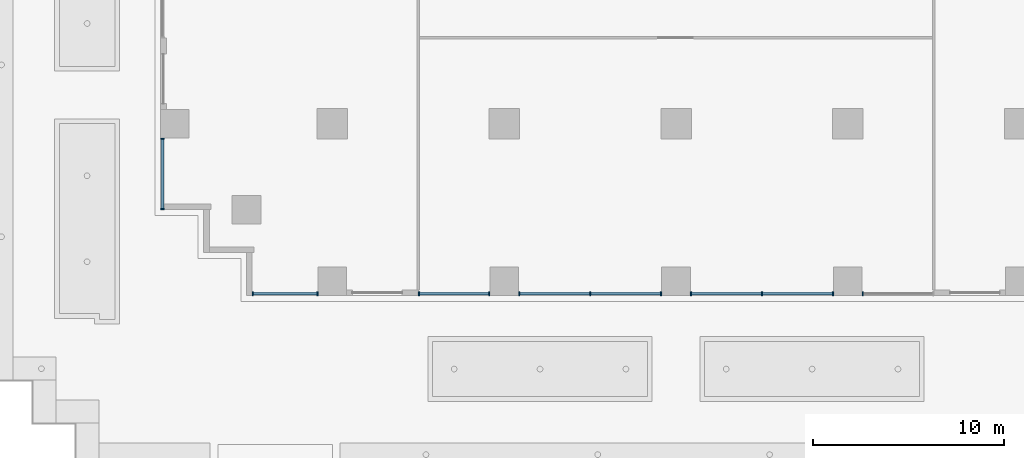
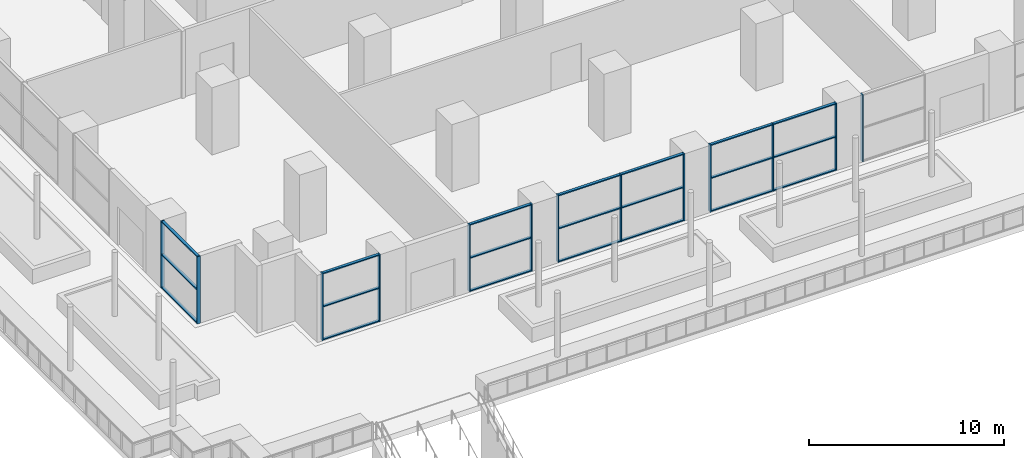
# One storey, part 2 of 18: 34 members, 6 elements without a shape of their own.
"""IFC4 building model written with IfcOpenShell, lengths in metres."""

from ifc_helpers import new_model, si_unit, direction, frame, origin, origin_2d, place, context, subcontext, project, spatial, rectangle, extrude, material, material_profile, profile_set, type_object, element, aggregate, save


model = new_model("IFC4")

# Units and contexts
model_context = context("Model", 3, precision=1e-05, world=origin(), true_north=direction((0.0, 1.0)))
body_context = subcontext(model_context, "Body", "Model", "MODEL_VIEW")
ifc_project = project(units=[si_unit("LENGTHUNIT", "METRE"), si_unit("AREAUNIT", "SQUARE_METRE"), si_unit("VOLUMEUNIT", "CUBIC_METRE"), si_unit("PLANEANGLEUNIT", "RADIAN"), si_unit("MASSUNIT", "GRAM", prefix="KILO")], contexts=[model_context])

# Site, building, storey
site_placement = place(None, origin())
site = spatial("IfcSite", under=ifc_project, at=site_placement, CompositionType="ELEMENT")
building_placement = place(site_placement, origin())
building = spatial("IfcBuilding", under=site, at=building_placement, Name="Orbiselva Terraces", CompositionType="ELEMENT")
storey_placement = place(building_placement, frame((0.0, 0.0, 10.5)))
storey = spatial("IfcBuildingStorey", under=building, at=storey_placement, Name="L02", CompositionType="ELEMENT", Elevation=10.5)

# Curtain wall, members
ifc_material_1 = material(Name="Clear low-e glazing in aluminium frame", Category="aluminium")
curtain_wall_type = type_object("IfcCurtainWallType", Name="ENV-CW-PAVILION", PredefinedType="NOTDEFINED", material=ifc_material_1)
curtain_wall_1_placement = place(storey_placement, origin())
curtain_wall_1 = element("IfcCurtainWall", 1, at=curtain_wall_1_placement, inside=storey, type_object=curtain_wall_type, Name="Curtain wall L02 S", PredefinedType="NOTDEFINED")
ifc_material_2 = material(Name="Anodised aluminium", Category="aluminium")
ifc_material_profile_1 = material_profile(ifc_material_2, rectangle(XDim=0.2, YDim=0.065, at=origin_2d()), Name="AL 65x200")
ifc_profile_set_1 = profile_set([ifc_material_profile_1], Name="Anodised aluminium")
member_type_1 = type_object("IfcMemberType", Name="ENV-CW-PAVILION-MULLION-65x200", PredefinedType="MULLION", material=ifc_profile_set_1)
member_1_placement = place(storey_placement, frame((-22.1675, -22.4, 0.0), z_axis=(0.0, 0.0, 1.0), x_axis=(0.0, 1.0, 0.0)))
member_1 = element("IfcMember", 2, at=member_1_placement, type_object=member_type_1, Name="CW2 mullion 1", PredefinedType="MULLION", context=body_context, shape_type="SweptSolid", body=[
    extrude(rectangle(XDim=0.2, YDim=0.065, at=origin_2d()), origin(), (0.0, 0.0, 1.0), 4.2),
])
member_2_placement = place(storey_placement, frame((-18.7825, -22.4, 0.0), z_axis=(0.0, 0.0, 1.0), x_axis=(0.0, 1.0, 0.0)))
member_2 = element("IfcMember", 3, at=member_2_placement, type_object=member_type_1, Name="CW2 mullion 2", PredefinedType="MULLION", context=body_context, shape_type="SweptSolid", body=[
    extrude(rectangle(XDim=0.2, YDim=0.065, at=origin_2d()), origin(), (0.0, 0.0, 1.0), 4.2),
])

curtain_wall_2_placement = place(storey_placement, origin())
curtain_wall_2 = element("IfcCurtainWall", 4, at=curtain_wall_2_placement, inside=storey, type_object=curtain_wall_type, Name="Curtain wall L02 S", PredefinedType="NOTDEFINED")
member_3_placement = place(storey_placement, frame((-13.4675, -22.4, 0.0), z_axis=(0.0, 0.0, 1.0), x_axis=(0.0, 1.0, 0.0)))
member_3 = element("IfcMember", 5, at=member_3_placement, type_object=member_type_1, Name="CW2 mullion 1", PredefinedType="MULLION", context=body_context, shape_type="SweptSolid", body=[
    extrude(rectangle(XDim=0.2, YDim=0.065, at=origin_2d()), origin(), (0.0, 0.0, 1.0), 4.2),
])
member_4_placement = place(storey_placement, frame((-9.7825, -22.4, 0.0), z_axis=(0.0, 0.0, 1.0), x_axis=(0.0, 1.0, 0.0)))
member_4 = element("IfcMember", 6, at=member_4_placement, type_object=member_type_1, Name="CW2 mullion 2", PredefinedType="MULLION", context=body_context, shape_type="SweptSolid", body=[
    extrude(rectangle(XDim=0.2, YDim=0.065, at=origin_2d()), origin(), (0.0, 0.0, 1.0), 4.2),
])

curtain_wall_3_placement = place(storey_placement, origin())
curtain_wall_3 = element("IfcCurtainWall", 7, at=curtain_wall_3_placement, inside=storey, type_object=curtain_wall_type, Name="Curtain wall L02 S", PredefinedType="NOTDEFINED")
member_5_placement = place(storey_placement, frame((-8.2175, -22.4, 0.0), z_axis=(0.0, 0.0, 1.0), x_axis=(0.0, 1.0, 0.0)))
member_5 = element("IfcMember", 8, at=member_5_placement, type_object=member_type_1, Name="CW2 mullion 1", PredefinedType="MULLION", context=body_context, shape_type="SweptSolid", body=[
    extrude(rectangle(XDim=0.2, YDim=0.065, at=origin_2d()), origin(), (0.0, 0.0, 1.0), 4.2),
])
member_6_placement = place(storey_placement, frame((-4.5, -22.4, 0.0), z_axis=(0.0, 0.0, 1.0), x_axis=(0.0, 1.0, 0.0)))
member_6 = element("IfcMember", 9, at=member_6_placement, type_object=member_type_1, Name="CW2 mullion 2", PredefinedType="MULLION", context=body_context, shape_type="SweptSolid", body=[
    extrude(rectangle(XDim=0.2, YDim=0.065, at=origin_2d()), origin(), (0.0, 0.0, 1.0), 4.2),
])
member_7_placement = place(storey_placement, frame((-0.7825, -22.4, 0.0), z_axis=(0.0, 0.0, 1.0), x_axis=(0.0, 1.0, 0.0)))
member_7 = element("IfcMember", 10, at=member_7_placement, type_object=member_type_1, Name="CW2 mullion 3", PredefinedType="MULLION", context=body_context, shape_type="SweptSolid", body=[
    extrude(rectangle(XDim=0.2, YDim=0.065, at=origin_2d()), origin(), (0.0, 0.0, 1.0), 4.2),
])

curtain_wall_4_placement = place(storey_placement, origin())
curtain_wall_4 = element("IfcCurtainWall", 11, at=curtain_wall_4_placement, inside=storey, type_object=curtain_wall_type, Name="Curtain wall L02 S", PredefinedType="NOTDEFINED")
member_8_placement = place(storey_placement, frame((0.7825, -22.4, 0.0), z_axis=(0.0, 0.0, 1.0), x_axis=(0.0, 1.0, 0.0)))
member_8 = element("IfcMember", 12, at=member_8_placement, type_object=member_type_1, Name="CW2 mullion 1", PredefinedType="MULLION", context=body_context, shape_type="SweptSolid", body=[
    extrude(rectangle(XDim=0.2, YDim=0.065, at=origin_2d()), origin(), (0.0, 0.0, 1.0), 4.2),
])
member_9_placement = place(storey_placement, frame((4.5, -22.4, 0.0), z_axis=(0.0, 0.0, 1.0), x_axis=(0.0, 1.0, 0.0)))
member_9 = element("IfcMember", 13, at=member_9_placement, type_object=member_type_1, Name="CW2 mullion 2", PredefinedType="MULLION", context=body_context, shape_type="SweptSolid", body=[
    extrude(rectangle(XDim=0.2, YDim=0.065, at=origin_2d()), origin(), (0.0, 0.0, 1.0), 4.2),
])
member_10_placement = place(storey_placement, frame((8.2175, -22.4, 0.0), z_axis=(0.0, 0.0, 1.0), x_axis=(0.0, 1.0, 0.0)))
member_10 = element("IfcMember", 14, at=member_10_placement, type_object=member_type_1, Name="CW2 mullion 3", PredefinedType="MULLION", context=body_context, shape_type="SweptSolid", body=[
    extrude(rectangle(XDim=0.2, YDim=0.065, at=origin_2d()), origin(), (0.0, 0.0, 1.0), 4.2),
])

# Curtain wall, member
curtain_wall_5_placement = place(storey_placement, origin())
curtain_wall_5 = element("IfcCurtainWall", 15, at=curtain_wall_5_placement, inside=storey, type_object=curtain_wall_type, Name="Curtain wall L02 S", PredefinedType="NOTDEFINED")
member_11_placement = place(storey_placement, frame((9.7825, -22.4, 0.0), z_axis=(0.0, 0.0, 1.0), x_axis=(0.0, 1.0, 0.0)))
member_11 = element("IfcMember", 16, at=member_11_placement, type_object=member_type_1, Name="CW2 mullion 1", PredefinedType="MULLION", context=body_context, shape_type="SweptSolid", body=[
    extrude(rectangle(XDim=0.2, YDim=0.065, at=origin_2d()), origin(), (0.0, 0.0, 1.0), 4.2),
])
aggregate(curtain_wall_5, [member_11])

# Curtain wall, members
curtain_wall_6_placement = place(storey_placement, origin())
curtain_wall_6 = element("IfcCurtainWall", 17, at=curtain_wall_6_placement, inside=storey, type_object=curtain_wall_type, Name="Curtain wall L02 W", PredefinedType="NOTDEFINED")
member_12_placement = place(storey_placement, frame((-26.9, -14.2825, 0.0), z_axis=(0.0, 0.0, 1.0), x_axis=(1.0, 0.0, 0.0)))
member_12 = element("IfcMember", 18, at=member_12_placement, type_object=member_type_1, Name="CW2 mullion 1", PredefinedType="MULLION", context=body_context, shape_type="SweptSolid", body=[
    extrude(rectangle(XDim=0.2, YDim=0.065, at=origin_2d()), origin(), (0.0, 0.0, 1.0), 4.2),
])
member_13_placement = place(storey_placement, frame((-26.9, -17.9675, 0.0), z_axis=(0.0, 0.0, 1.0), x_axis=(1.0, 0.0, 0.0)))
member_13 = element("IfcMember", 19, at=member_13_placement, type_object=member_type_1, Name="CW2 mullion 2", PredefinedType="MULLION", context=body_context, shape_type="SweptSolid", body=[
    extrude(rectangle(XDim=0.2, YDim=0.065, at=origin_2d()), origin(), (0.0, 0.0, 1.0), 4.2),
])

# Member
ifc_material_profile_2 = material_profile(ifc_material_2, rectangle(XDim=0.16, YDim=0.065, at=origin_2d()), Name="AL 65x160")
ifc_profile_set_2 = profile_set([ifc_material_profile_2], Name="Anodised aluminium")
member_type_2 = type_object("IfcMemberType", Name="ENV-CW-PAVILION-TRANSOM-65x160", PredefinedType="USERDEFINED", material=ifc_profile_set_2)
member_14_placement = place(storey_placement, frame((-22.135, -22.4, 0.0325), z_axis=(1.0, 0.0, 0.0), x_axis=(0.0, 1.0, 0.0)))
member_14 = element("IfcMember", 20, at=member_14_placement, type_object=member_type_2, Name="CW2 transom 1.1", ObjectType="TRANSOM", PredefinedType="USERDEFINED", context=body_context, shape_type="SweptSolid", body=[
    extrude(rectangle(XDim=0.16, YDim=0.065, at=origin_2d()), origin(), (0.0, 0.0, 1.0), 3.32),
])

member_15_placement = place(storey_placement, frame((-22.135, -22.4, 2.1), z_axis=(1.0, 0.0, 0.0), x_axis=(0.0, 1.0, 0.0)))
member_15 = element("IfcMember", 21, at=member_15_placement, type_object=member_type_2, Name="CW2 transom 1.2", ObjectType="TRANSOM", PredefinedType="USERDEFINED", context=body_context, shape_type="SweptSolid", body=[
    extrude(rectangle(XDim=0.16, YDim=0.065, at=origin_2d()), origin(), (0.0, 0.0, 1.0), 3.32),
])

member_16_placement = place(storey_placement, frame((-22.135, -22.4, 4.1675), z_axis=(1.0, 0.0, 0.0), x_axis=(0.0, 1.0, 0.0)))
member_16 = element("IfcMember", 22, at=member_16_placement, type_object=member_type_2, Name="CW2 transom 1.3", ObjectType="TRANSOM", PredefinedType="USERDEFINED", context=body_context, shape_type="SweptSolid", body=[
    extrude(rectangle(XDim=0.16, YDim=0.065, at=origin_2d()), origin(), (0.0, 0.0, 1.0), 3.32),
])

aggregate(curtain_wall_1, [member_1, member_2, member_14, member_15, member_16])

member_17_placement = place(storey_placement, frame((-13.435, -22.4, 0.0325), z_axis=(1.0, 0.0, 0.0), x_axis=(0.0, 1.0, 0.0)))
member_17 = element("IfcMember", 23, at=member_17_placement, type_object=member_type_2, Name="CW2 transom 1.1", ObjectType="TRANSOM", PredefinedType="USERDEFINED", context=body_context, shape_type="SweptSolid", body=[
    extrude(rectangle(XDim=0.16, YDim=0.065, at=origin_2d()), origin(), (0.0, 0.0, 1.0), 3.62),
])

member_18_placement = place(storey_placement, frame((-13.435, -22.4, 2.1), z_axis=(1.0, 0.0, 0.0), x_axis=(0.0, 1.0, 0.0)))
member_18 = element("IfcMember", 24, at=member_18_placement, type_object=member_type_2, Name="CW2 transom 1.2", ObjectType="TRANSOM", PredefinedType="USERDEFINED", context=body_context, shape_type="SweptSolid", body=[
    extrude(rectangle(XDim=0.16, YDim=0.065, at=origin_2d()), origin(), (0.0, 0.0, 1.0), 3.62),
])

member_19_placement = place(storey_placement, frame((-13.435, -22.4, 4.1675), z_axis=(1.0, 0.0, 0.0), x_axis=(0.0, 1.0, 0.0)))
member_19 = element("IfcMember", 25, at=member_19_placement, type_object=member_type_2, Name="CW2 transom 1.3", ObjectType="TRANSOM", PredefinedType="USERDEFINED", context=body_context, shape_type="SweptSolid", body=[
    extrude(rectangle(XDim=0.16, YDim=0.065, at=origin_2d()), origin(), (0.0, 0.0, 1.0), 3.62),
])

aggregate(curtain_wall_2, [member_3, member_4, member_17, member_18, member_19])

member_20_placement = place(storey_placement, frame((-8.185, -22.4, 0.0325), z_axis=(1.0, 0.0, 0.0), x_axis=(0.0, 1.0, 0.0)))
member_20 = element("IfcMember", 26, at=member_20_placement, type_object=member_type_2, Name="CW2 transom 1.1", ObjectType="TRANSOM", PredefinedType="USERDEFINED", context=body_context, shape_type="SweptSolid", body=[
    extrude(rectangle(XDim=0.16, YDim=0.065, at=origin_2d()), origin(), (0.0, 0.0, 1.0), 3.6525),
])

member_21_placement = place(storey_placement, frame((-8.185, -22.4, 2.1), z_axis=(1.0, 0.0, 0.0), x_axis=(0.0, 1.0, 0.0)))
member_21 = element("IfcMember", 27, at=member_21_placement, type_object=member_type_2, Name="CW2 transom 1.2", ObjectType="TRANSOM", PredefinedType="USERDEFINED", context=body_context, shape_type="SweptSolid", body=[
    extrude(rectangle(XDim=0.16, YDim=0.065, at=origin_2d()), origin(), (0.0, 0.0, 1.0), 3.6525),
])

member_22_placement = place(storey_placement, frame((-8.185, -22.4, 4.1675), z_axis=(1.0, 0.0, 0.0), x_axis=(0.0, 1.0, 0.0)))
member_22 = element("IfcMember", 28, at=member_22_placement, type_object=member_type_2, Name="CW2 transom 1.3", ObjectType="TRANSOM", PredefinedType="USERDEFINED", context=body_context, shape_type="SweptSolid", body=[
    extrude(rectangle(XDim=0.16, YDim=0.065, at=origin_2d()), origin(), (0.0, 0.0, 1.0), 3.6525),
])

member_23_placement = place(storey_placement, frame((-4.4675, -22.4, 0.0325), z_axis=(1.0, 0.0, 0.0), x_axis=(0.0, 1.0, 0.0)))
member_23 = element("IfcMember", 29, at=member_23_placement, type_object=member_type_2, Name="CW2 transom 2.1", ObjectType="TRANSOM", PredefinedType="USERDEFINED", context=body_context, shape_type="SweptSolid", body=[
    extrude(rectangle(XDim=0.16, YDim=0.065, at=origin_2d()), origin(), (0.0, 0.0, 1.0), 3.6525),
])

member_24_placement = place(storey_placement, frame((-4.4675, -22.4, 2.1), z_axis=(1.0, 0.0, 0.0), x_axis=(0.0, 1.0, 0.0)))
member_24 = element("IfcMember", 30, at=member_24_placement, type_object=member_type_2, Name="CW2 transom 2.2", ObjectType="TRANSOM", PredefinedType="USERDEFINED", context=body_context, shape_type="SweptSolid", body=[
    extrude(rectangle(XDim=0.16, YDim=0.065, at=origin_2d()), origin(), (0.0, 0.0, 1.0), 3.6525),
])

member_25_placement = place(storey_placement, frame((-4.4675, -22.4, 4.1675), z_axis=(1.0, 0.0, 0.0), x_axis=(0.0, 1.0, 0.0)))
member_25 = element("IfcMember", 31, at=member_25_placement, type_object=member_type_2, Name="CW2 transom 2.3", ObjectType="TRANSOM", PredefinedType="USERDEFINED", context=body_context, shape_type="SweptSolid", body=[
    extrude(rectangle(XDim=0.16, YDim=0.065, at=origin_2d()), origin(), (0.0, 0.0, 1.0), 3.6525),
])

aggregate(curtain_wall_3, [member_5, member_6, member_7, member_20, member_21, member_22, member_23, member_24, member_25])

member_26_placement = place(storey_placement, frame((0.815, -22.4, 0.0325), z_axis=(1.0, 0.0, 0.0), x_axis=(0.0, 1.0, 0.0)))
member_26 = element("IfcMember", 32, at=member_26_placement, type_object=member_type_2, Name="CW2 transom 1.1", ObjectType="TRANSOM", PredefinedType="USERDEFINED", context=body_context, shape_type="SweptSolid", body=[
    extrude(rectangle(XDim=0.16, YDim=0.065, at=origin_2d()), origin(), (0.0, 0.0, 1.0), 3.6525),
])

member_27_placement = place(storey_placement, frame((0.815, -22.4, 2.1), z_axis=(1.0, 0.0, 0.0), x_axis=(0.0, 1.0, 0.0)))
member_27 = element("IfcMember", 33, at=member_27_placement, type_object=member_type_2, Name="CW2 transom 1.2", ObjectType="TRANSOM", PredefinedType="USERDEFINED", context=body_context, shape_type="SweptSolid", body=[
    extrude(rectangle(XDim=0.16, YDim=0.065, at=origin_2d()), origin(), (0.0, 0.0, 1.0), 3.6525),
])

member_28_placement = place(storey_placement, frame((0.815, -22.4, 4.1675), z_axis=(1.0, 0.0, 0.0), x_axis=(0.0, 1.0, 0.0)))
member_28 = element("IfcMember", 34, at=member_28_placement, type_object=member_type_2, Name="CW2 transom 1.3", ObjectType="TRANSOM", PredefinedType="USERDEFINED", context=body_context, shape_type="SweptSolid", body=[
    extrude(rectangle(XDim=0.16, YDim=0.065, at=origin_2d()), origin(), (0.0, 0.0, 1.0), 3.6525),
])

member_29_placement = place(storey_placement, frame((4.5325, -22.4, 0.0325), z_axis=(1.0, 0.0, 0.0), x_axis=(0.0, 1.0, 0.0)))
member_29 = element("IfcMember", 35, at=member_29_placement, type_object=member_type_2, Name="CW2 transom 2.1", ObjectType="TRANSOM", PredefinedType="USERDEFINED", context=body_context, shape_type="SweptSolid", body=[
    extrude(rectangle(XDim=0.16, YDim=0.065, at=origin_2d()), origin(), (0.0, 0.0, 1.0), 3.6525),
])

member_30_placement = place(storey_placement, frame((4.5325, -22.4, 2.1), z_axis=(1.0, 0.0, 0.0), x_axis=(0.0, 1.0, 0.0)))
member_30 = element("IfcMember", 36, at=member_30_placement, type_object=member_type_2, Name="CW2 transom 2.2", ObjectType="TRANSOM", PredefinedType="USERDEFINED", context=body_context, shape_type="SweptSolid", body=[
    extrude(rectangle(XDim=0.16, YDim=0.065, at=origin_2d()), origin(), (0.0, 0.0, 1.0), 3.6525),
])

member_31_placement = place(storey_placement, frame((4.5325, -22.4, 4.1675), z_axis=(1.0, 0.0, 0.0), x_axis=(0.0, 1.0, 0.0)))
member_31 = element("IfcMember", 37, at=member_31_placement, type_object=member_type_2, Name="CW2 transom 2.3", ObjectType="TRANSOM", PredefinedType="USERDEFINED", context=body_context, shape_type="SweptSolid", body=[
    extrude(rectangle(XDim=0.16, YDim=0.065, at=origin_2d()), origin(), (0.0, 0.0, 1.0), 3.6525),
])

aggregate(curtain_wall_4, [member_8, member_9, member_10, member_26, member_27, member_28, member_29, member_30, member_31])

member_32_placement = place(storey_placement, frame((-26.9, -14.315, 0.0325), z_axis=(0.0, -1.0, 0.0), x_axis=(1.0, 0.0, 0.0)))
member_32 = element("IfcMember", 38, at=member_32_placement, type_object=member_type_2, Name="CW2 transom 1.1", ObjectType="TRANSOM", PredefinedType="USERDEFINED", context=body_context, shape_type="SweptSolid", body=[
    extrude(rectangle(XDim=0.16, YDim=0.065, at=origin_2d()), origin(), (0.0, 0.0, 1.0), 3.62),
])

member_33_placement = place(storey_placement, frame((-26.9, -14.315, 2.1), z_axis=(0.0, -1.0, 0.0), x_axis=(1.0, 0.0, 0.0)))
member_33 = element("IfcMember", 39, at=member_33_placement, type_object=member_type_2, Name="CW2 transom 1.2", ObjectType="TRANSOM", PredefinedType="USERDEFINED", context=body_context, shape_type="SweptSolid", body=[
    extrude(rectangle(XDim=0.16, YDim=0.065, at=origin_2d()), origin(), (0.0, 0.0, 1.0), 3.62),
])

member_34_placement = place(storey_placement, frame((-26.9, -14.315, 4.1675), z_axis=(0.0, -1.0, 0.0), x_axis=(1.0, 0.0, 0.0)))
member_34 = element("IfcMember", 40, at=member_34_placement, type_object=member_type_2, Name="CW2 transom 1.3", ObjectType="TRANSOM", PredefinedType="USERDEFINED", context=body_context, shape_type="SweptSolid", body=[
    extrude(rectangle(XDim=0.16, YDim=0.065, at=origin_2d()), origin(), (0.0, 0.0, 1.0), 3.62),
])

aggregate(curtain_wall_6, [member_12, member_13, member_32, member_33, member_34])

save(model, "model.ifc")
